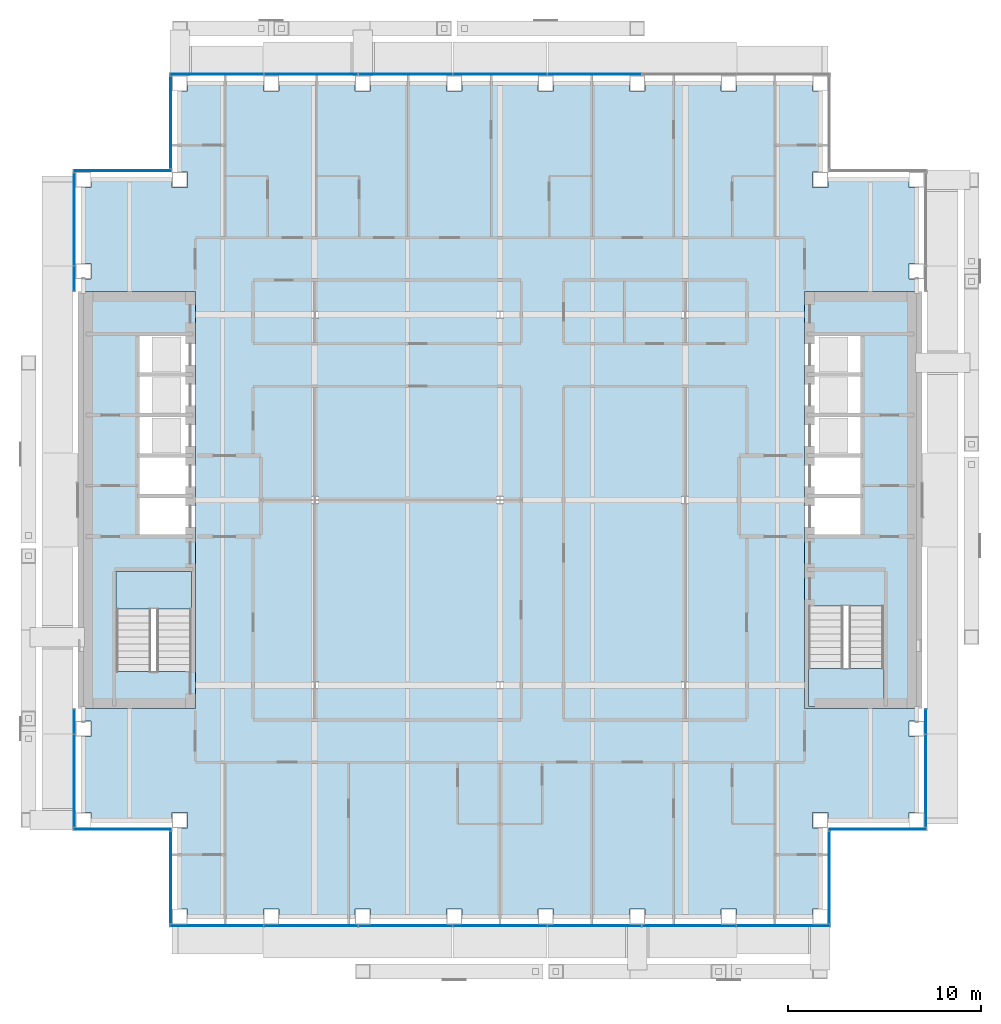
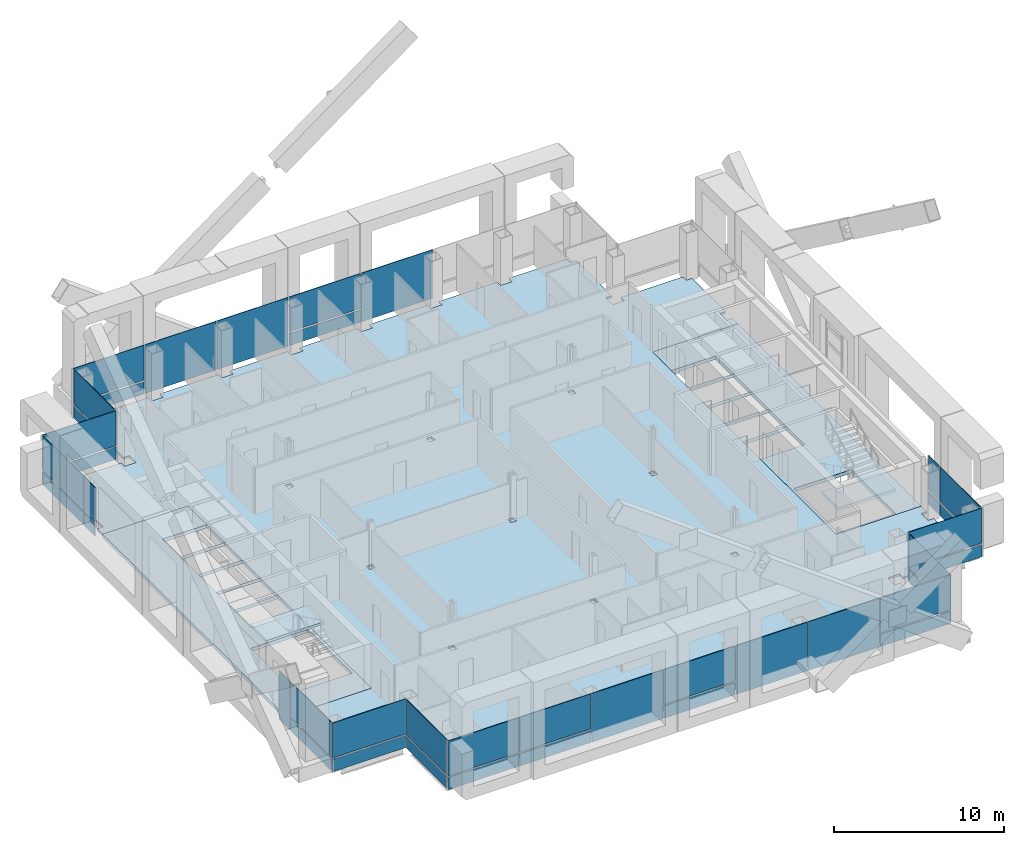
# One storey, part 11 of 22: 41 plates, 5 slabs, 13 elements without a shape of their own.
"""IFC4 building model written with IfcOpenShell, lengths in metres."""

from ifc_helpers import new_model, si_unit, direction, frame, origin, origin_2d, place, context, subcontext, project, spatial, polyline, rectangle, outline, extrude, material, layer, layer_set, type_object, element, aggregate, save


model = new_model("IFC4")

# Units and contexts
model_context = context("Model", 3, precision=1e-05, world=origin(), true_north=direction((0.0, 1.0)))
body_context = subcontext(model_context, "Body", "Model", "MODEL_VIEW")
ifc_project = project(units=[si_unit("LENGTHUNIT", "METRE"), si_unit("AREAUNIT", "SQUARE_METRE"), si_unit("VOLUMEUNIT", "CUBIC_METRE"), si_unit("PLANEANGLEUNIT", "RADIAN"), si_unit("MASSUNIT", "GRAM", prefix="KILO")], contexts=[model_context])

# Site, building, storey
site_placement = place(None, origin())
site = spatial("IfcSite", under=ifc_project, at=site_placement, CompositionType="ELEMENT")
building_placement = place(site_placement, origin())
building = spatial("IfcBuilding", under=site, at=building_placement, Name="Cobrizo Arcos Hotel Tower", CompositionType="ELEMENT")
storey_placement = place(building_placement, frame((0.0, 0.0, 169.0)))
storey = spatial("IfcBuildingStorey", under=building, at=storey_placement, Name="L43", CompositionType="ELEMENT", Elevation=169.0)

# Curtain wall, plates
ifc_material_1 = material(Name="Aluminium 6063-T6 anodised bronze", Category="aluminium")
curtain_wall_type = type_object("IfcCurtainWallType", Name="CW-A guest facade", PredefinedType="NOTDEFINED", material=ifc_material_1)
curtain_wall_1_placement = place(storey_placement, origin())
curtain_wall_1 = element("IfcCurtainWall", 1, at=curtain_wall_1_placement, inside=storey, type_object=curtain_wall_type, Name="CW-A L43 S face", PredefinedType="NOTDEFINED")
ifc_material_2 = material(Name="Glass clear laminated low-e", Category="glass")
ifc_layer_1 = layer(ifc_material_2, 0.0400390625)
ifc_layer_set_1 = layer_set([ifc_layer_1], Name="CW-A glass panel")
plate_type_1 = type_object("IfcPlateType", Name="CW-A glass panel", PredefinedType="CURTAIN_PANEL", material=ifc_layer_set_1)
plate_1_placement = place(storey_placement, frame((-14.68505859375, -22.074951171875, 0.990234375), z_axis=(0.0, 0.0, 1.0), x_axis=(1.0, 0.0, 0.0)))
plate_1 = element("IfcPlate", 2, at=plate_1_placement, type_object=plate_type_1, Name="CW-A glass panel 1516", PredefinedType="CURTAIN_PANEL", context=body_context, shape_type="SweptSolid", body=[
    extrude(rectangle(XDim=4.81005859375, YDim=0.0400390625, at=origin_2d()), origin(), (0.0, 0.0, 1.0), 2.510009765625),
])
plate_2_placement = place(storey_placement, frame((-9.800048828125, -22.074951171875, 0.990234375), z_axis=(0.0, 0.0, 1.0), x_axis=(1.0, 0.0, 0.0)))
plate_2 = element("IfcPlate", 3, at=plate_2_placement, type_object=plate_type_1, Name="CW-A glass panel 1517", PredefinedType="CURTAIN_PANEL", context=body_context, shape_type="SweptSolid", body=[
    extrude(rectangle(XDim=4.840087890625, YDim=0.0400390625, at=origin_2d()), origin(), (0.0, 0.0, 1.0), 2.510009765625),
])
plate_3_placement = place(storey_placement, frame((0.0, -22.074951171875, 0.990234375), z_axis=(0.0, 0.0, 1.0), x_axis=(1.0, 0.0, 0.0)))
plate_3 = element("IfcPlate", 4, at=plate_3_placement, type_object=plate_type_1, Name="CW-A glass panel 1519", PredefinedType="CURTAIN_PANEL", context=body_context, shape_type="SweptSolid", body=[
    extrude(rectangle(XDim=4.840087890625, YDim=0.0400390625, at=origin_2d()), origin(), (0.0, 0.0, 1.0), 2.510009765625),
])
plate_4_placement = place(storey_placement, frame((14.68505859375, -22.074951171875, 0.990234375), z_axis=(0.0, 0.0, 1.0), x_axis=(1.0, 0.0, 0.0)))
plate_4 = element("IfcPlate", 5, at=plate_4_placement, type_object=plate_type_1, Name="CW-A glass panel 1522", PredefinedType="CURTAIN_PANEL", context=body_context, shape_type="SweptSolid", body=[
    extrude(rectangle(XDim=4.81005859375, YDim=0.0400390625, at=origin_2d()), origin(), (0.0, 0.0, 1.0), 2.510009765625),
])

# Curtain wall, plate
curtain_wall_2_placement = place(storey_placement, origin())
curtain_wall_2 = element("IfcCurtainWall", 6, at=curtain_wall_2_placement, inside=storey, type_object=curtain_wall_type, Name="CW-A L43 E face", PredefinedType="NOTDEFINED")
plate_5_placement = place(storey_placement, frame((17.074951171875, -19.574951171875, 0.990234375), z_axis=(0.0, 0.0, 1.0), x_axis=(0.0, 1.0, 0.0)))
plate_5 = element("IfcPlate", 7, at=plate_5_placement, type_object=plate_type_1, Name="CW-A glass panel 1523", PredefinedType="CURTAIN_PANEL", context=body_context, shape_type="SweptSolid", body=[
    extrude(rectangle(XDim=4.72998046875, YDim=0.0400390625, at=origin_2d()), origin(), (0.0, 0.0, 1.0), 2.510009765625),
])

curtain_wall_3_placement = place(storey_placement, origin())
curtain_wall_3 = element("IfcCurtainWall", 8, at=curtain_wall_3_placement, inside=storey, type_object=curtain_wall_type, Name="CW-A L43 S face", PredefinedType="NOTDEFINED")
plate_6_placement = place(storey_placement, frame((19.574951171875, -17.074951171875, 0.990234375), z_axis=(0.0, 0.0, 1.0), x_axis=(1.0, 0.0, 0.0)))
plate_6 = element("IfcPlate", 9, at=plate_6_placement, type_object=plate_type_1, Name="CW-A glass panel 1524", PredefinedType="CURTAIN_PANEL", context=body_context, shape_type="SweptSolid", body=[
    extrude(rectangle(XDim=5.030029296875, YDim=0.0400390625, at=origin_2d()), origin(), (0.0, 0.0, 1.0), 2.510009765625),
])

# Curtain wall, plates
curtain_wall_4_placement = place(storey_placement, origin())
curtain_wall_4 = element("IfcCurtainWall", 10, at=curtain_wall_4_placement, inside=storey, type_object=curtain_wall_type, Name="CW-A L43 E face", PredefinedType="NOTDEFINED")
plate_7_placement = place(storey_placement, frame((22.074951171875, -14.556396484375, 0.990234375), z_axis=(0.0, 0.0, 1.0), x_axis=(0.0, 1.0, 0.0)))
plate_7 = element("IfcPlate", 11, at=plate_7_placement, type_object=plate_type_1, Name="CW-A glass panel 1525", PredefinedType="CURTAIN_PANEL", context=body_context, shape_type="SweptSolid", body=[
    extrude(rectangle(XDim=4.76708984375, YDim=0.0400390625, at=origin_2d()), origin(), (0.0, 0.0, 1.0), 2.510009765625),
])
plate_8_placement = place(storey_placement, frame((22.074951171875, -11.486328125, 0.990234375), z_axis=(0.0, 0.0, 1.0), x_axis=(0.0, 1.0, 0.0)))
plate_8 = element("IfcPlate", 12, at=plate_8_placement, type_object=plate_type_1, Name="CW-A glass panel 1526", PredefinedType="CURTAIN_PANEL", context=body_context, shape_type="SweptSolid", body=[
    extrude(rectangle(XDim=1.2529296875, YDim=0.0400390625, at=origin_2d()), origin(), (0.0, 0.0, 1.0), 2.510009765625),
])

curtain_wall_5_placement = place(storey_placement, origin())
curtain_wall_5 = element("IfcCurtainWall", 13, at=curtain_wall_5_placement, inside=storey, type_object=curtain_wall_type, Name="CW-A L43 N face", PredefinedType="NOTDEFINED")
plate_9_placement = place(storey_placement, frame((0.0, 22.074951171875, 0.990234375), z_axis=(0.0, 0.0, 1.0), x_axis=(-1.0, 0.0, 0.0)))
plate_9 = element("IfcPlate", 14, at=plate_9_placement, type_object=plate_type_1, Name="CW-A glass panel 1534", PredefinedType="CURTAIN_PANEL", context=body_context, shape_type="SweptSolid", body=[
    extrude(rectangle(XDim=4.840087890625, YDim=0.0400390625, at=origin_2d()), origin(), (0.0, 0.0, 1.0), 2.510009765625),
])
plate_10_placement = place(storey_placement, frame((-14.68505859375, 22.074951171875, 0.990234375), z_axis=(0.0, 0.0, 1.0), x_axis=(-1.0, 0.0, 0.0)))
plate_10 = element("IfcPlate", 15, at=plate_10_placement, type_object=plate_type_1, Name="CW-A glass panel 1537", PredefinedType="CURTAIN_PANEL", context=body_context, shape_type="SweptSolid", body=[
    extrude(rectangle(XDim=4.81005859375, YDim=0.0400390625, at=origin_2d()), origin(), (0.0, 0.0, 1.0), 2.510009765625),
])

# Curtain wall, plate
curtain_wall_6_placement = place(storey_placement, origin())
curtain_wall_6 = element("IfcCurtainWall", 16, at=curtain_wall_6_placement, inside=storey, type_object=curtain_wall_type, Name="CW-A L43 W face", PredefinedType="NOTDEFINED")
plate_11_placement = place(storey_placement, frame((-17.074951171875, 19.574951171875, 0.990234375), z_axis=(0.0, 0.0, 1.0), x_axis=(0.0, -1.0, 0.0)))
plate_11 = element("IfcPlate", 17, at=plate_11_placement, type_object=plate_type_1, Name="CW-A glass panel 1538", PredefinedType="CURTAIN_PANEL", context=body_context, shape_type="SweptSolid", body=[
    extrude(rectangle(XDim=4.72998046875, YDim=0.0400390625, at=origin_2d()), origin(), (0.0, 0.0, 1.0), 2.510009765625),
])

curtain_wall_7_placement = place(storey_placement, origin())
curtain_wall_7 = element("IfcCurtainWall", 18, at=curtain_wall_7_placement, inside=storey, type_object=curtain_wall_type, Name="CW-A L43 N face", PredefinedType="NOTDEFINED")
plate_12_placement = place(storey_placement, frame((-19.574951171875, 17.074951171875, 0.990234375), z_axis=(0.0, 0.0, 1.0), x_axis=(-1.0, 0.0, 0.0)))
plate_12 = element("IfcPlate", 19, at=plate_12_placement, type_object=plate_type_1, Name="CW-A glass panel 1539", PredefinedType="CURTAIN_PANEL", context=body_context, shape_type="SweptSolid", body=[
    extrude(rectangle(XDim=5.030029296875, YDim=0.0400390625, at=origin_2d()), origin(), (0.0, 0.0, 1.0), 2.510009765625),
])

# Curtain wall, plates
curtain_wall_8_placement = place(storey_placement, origin())
curtain_wall_8 = element("IfcCurtainWall", 20, at=curtain_wall_8_placement, inside=storey, type_object=curtain_wall_type, Name="CW-A L43 W face", PredefinedType="NOTDEFINED")
plate_13_placement = place(storey_placement, frame((-22.074951171875, 14.556396484375, 0.990234375), z_axis=(0.0, 0.0, 1.0), x_axis=(0.0, -1.0, 0.0)))
plate_13 = element("IfcPlate", 21, at=plate_13_placement, type_object=plate_type_1, Name="CW-A glass panel 1540", PredefinedType="CURTAIN_PANEL", context=body_context, shape_type="SweptSolid", body=[
    extrude(rectangle(XDim=4.76708984375, YDim=0.0400390625, at=origin_2d()), origin(), (0.0, 0.0, 1.0), 2.510009765625),
])
plate_14_placement = place(storey_placement, frame((-22.074951171875, 11.486328125, 0.990234375), z_axis=(0.0, 0.0, 1.0), x_axis=(0.0, -1.0, 0.0)))
plate_14 = element("IfcPlate", 22, at=plate_14_placement, type_object=plate_type_1, Name="CW-A glass panel 1541", PredefinedType="CURTAIN_PANEL", context=body_context, shape_type="SweptSolid", body=[
    extrude(rectangle(XDim=1.2529296875, YDim=0.0400390625, at=origin_2d()), origin(), (0.0, 0.0, 1.0), 2.510009765625),
])

# Curtain wall, plate
curtain_wall_9_placement = place(storey_placement, origin())
curtain_wall_9 = element("IfcCurtainWall", 23, at=curtain_wall_9_placement, inside=storey, type_object=curtain_wall_type, Name="CW-A L43 W face", PredefinedType="NOTDEFINED")
plate_15_placement = place(storey_placement, frame((-22.074951171875, -14.556396484375, 0.990234375), z_axis=(0.0, 0.0, 1.0), x_axis=(0.0, -1.0, 0.0)))
plate_15 = element("IfcPlate", 24, at=plate_15_placement, type_object=plate_type_1, Name="CW-A glass panel 1543", PredefinedType="CURTAIN_PANEL", context=body_context, shape_type="SweptSolid", body=[
    extrude(rectangle(XDim=4.76708984375, YDim=0.0400390625, at=origin_2d()), origin(), (0.0, 0.0, 1.0), 2.510009765625),
])

curtain_wall_10_placement = place(storey_placement, origin())
curtain_wall_10 = element("IfcCurtainWall", 25, at=curtain_wall_10_placement, inside=storey, type_object=curtain_wall_type, Name="CW-A L43 S face", PredefinedType="NOTDEFINED")
plate_16_placement = place(storey_placement, frame((-19.574951171875, -17.074951171875, 0.990234375), z_axis=(0.0, 0.0, 1.0), x_axis=(1.0, 0.0, 0.0)))
plate_16 = element("IfcPlate", 26, at=plate_16_placement, type_object=plate_type_1, Name="CW-A glass panel 1544", PredefinedType="CURTAIN_PANEL", context=body_context, shape_type="SweptSolid", body=[
    extrude(rectangle(XDim=5.030029296875, YDim=0.0400390625, at=origin_2d()), origin(), (0.0, 0.0, 1.0), 2.510009765625),
])

curtain_wall_11_placement = place(storey_placement, origin())
curtain_wall_11 = element("IfcCurtainWall", 27, at=curtain_wall_11_placement, inside=storey, type_object=curtain_wall_type, Name="CW-A L43 W face", PredefinedType="NOTDEFINED")
plate_17_placement = place(storey_placement, frame((-17.074951171875, -19.574951171875, 0.990234375), z_axis=(0.0, 0.0, 1.0), x_axis=(0.0, -1.0, 0.0)))
plate_17 = element("IfcPlate", 28, at=plate_17_placement, type_object=plate_type_1, Name="CW-A glass panel 1545", PredefinedType="CURTAIN_PANEL", context=body_context, shape_type="SweptSolid", body=[
    extrude(rectangle(XDim=4.72998046875, YDim=0.0400390625, at=origin_2d()), origin(), (0.0, 0.0, 1.0), 2.510009765625),
])

# Plate
ifc_material_3 = material(Name="Aluminium composite panel pale metal", Category="aluminium")
ifc_layer_2 = layer(ifc_material_3, 0.0400390625)
ifc_layer_set_2 = layer_set([ifc_layer_2], Name="CW-A spandrel panel")
plate_type_2 = type_object("IfcPlateType", Name="CW-A spandrel panel", PredefinedType="CURTAIN_PANEL", material=ifc_layer_set_2)
plate_18_placement = place(storey_placement, frame((-14.68505859375, -22.074951171875, 0.0), z_axis=(0.0, 0.0, 1.0), x_axis=(1.0, 0.0, 0.0)))
plate_18 = element("IfcPlate", 29, at=plate_18_placement, type_object=plate_type_2, Name="CW-A spandrel panel 1516", PredefinedType="CURTAIN_PANEL", context=body_context, shape_type="SweptSolid", body=[
    extrude(rectangle(XDim=4.81005859375, YDim=0.0400390625, at=origin_2d()), origin(), (0.0, 0.0, 1.0), 0.8701171875),
])

plate_19_placement = place(storey_placement, frame((-9.800048828125, -22.074951171875, 0.0), z_axis=(0.0, 0.0, 1.0), x_axis=(1.0, 0.0, 0.0)))
plate_19 = element("IfcPlate", 30, at=plate_19_placement, type_object=plate_type_2, Name="CW-A spandrel panel 1517", PredefinedType="CURTAIN_PANEL", context=body_context, shape_type="SweptSolid", body=[
    extrude(rectangle(XDim=4.840087890625, YDim=0.0400390625, at=origin_2d()), origin(), (0.0, 0.0, 1.0), 0.8701171875),
])

plate_20_placement = place(storey_placement, frame((-4.89990234375, -22.074951171875, 0.0), z_axis=(0.0, 0.0, 1.0), x_axis=(1.0, 0.0, 0.0)))
plate_20 = element("IfcPlate", 31, at=plate_20_placement, type_object=plate_type_2, Name="CW-A spandrel panel 1518", PredefinedType="CURTAIN_PANEL", context=body_context, shape_type="SweptSolid", body=[
    extrude(rectangle(XDim=4.840087890625, YDim=0.0400390625, at=origin_2d()), origin(), (0.0, 0.0, 1.0), 3.5),
])

plate_21_placement = place(storey_placement, frame((0.0, -22.074951171875, 0.0), z_axis=(0.0, 0.0, 1.0), x_axis=(1.0, 0.0, 0.0)))
plate_21 = element("IfcPlate", 32, at=plate_21_placement, type_object=plate_type_2, Name="CW-A spandrel panel 1519", PredefinedType="CURTAIN_PANEL", context=body_context, shape_type="SweptSolid", body=[
    extrude(rectangle(XDim=4.840087890625, YDim=0.0400390625, at=origin_2d()), origin(), (0.0, 0.0, 1.0), 0.8701171875),
])

plate_22_placement = place(storey_placement, frame((4.89990234375, -22.074951171875, 0.0), z_axis=(0.0, 0.0, 1.0), x_axis=(1.0, 0.0, 0.0)))
plate_22 = element("IfcPlate", 33, at=plate_22_placement, type_object=plate_type_2, Name="CW-A spandrel panel 1520", PredefinedType="CURTAIN_PANEL", context=body_context, shape_type="SweptSolid", body=[
    extrude(rectangle(XDim=4.840087890625, YDim=0.0400390625, at=origin_2d()), origin(), (0.0, 0.0, 1.0), 3.5),
])

plate_23_placement = place(storey_placement, frame((9.800048828125, -22.074951171875, 0.0), z_axis=(0.0, 0.0, 1.0), x_axis=(1.0, 0.0, 0.0)))
plate_23 = element("IfcPlate", 34, at=plate_23_placement, type_object=plate_type_2, Name="CW-A spandrel panel 1521", PredefinedType="CURTAIN_PANEL", context=body_context, shape_type="SweptSolid", body=[
    extrude(rectangle(XDim=4.840087890625, YDim=0.0400390625, at=origin_2d()), origin(), (0.0, 0.0, 1.0), 3.5),
])

plate_24_placement = place(storey_placement, frame((14.68505859375, -22.074951171875, 0.0), z_axis=(0.0, 0.0, 1.0), x_axis=(1.0, 0.0, 0.0)))
plate_24 = element("IfcPlate", 35, at=plate_24_placement, type_object=plate_type_2, Name="CW-A spandrel panel 1522", PredefinedType="CURTAIN_PANEL", context=body_context, shape_type="SweptSolid", body=[
    extrude(rectangle(XDim=4.81005859375, YDim=0.0400390625, at=origin_2d()), origin(), (0.0, 0.0, 1.0), 0.8701171875),
])

aggregate(curtain_wall_1, [plate_18, plate_1, plate_19, plate_2, plate_20, plate_21, plate_3, plate_22, plate_23, plate_24, plate_4])

plate_25_placement = place(storey_placement, frame((17.074951171875, -19.574951171875, 0.0), z_axis=(0.0, 0.0, 1.0), x_axis=(0.0, 1.0, 0.0)))
plate_25 = element("IfcPlate", 36, at=plate_25_placement, type_object=plate_type_2, Name="CW-A spandrel panel 1523", PredefinedType="CURTAIN_PANEL", context=body_context, shape_type="SweptSolid", body=[
    extrude(rectangle(XDim=4.72998046875, YDim=0.0400390625, at=origin_2d()), origin(), (0.0, 0.0, 1.0), 0.8701171875),
])

aggregate(curtain_wall_2, [plate_25, plate_5])

plate_26_placement = place(storey_placement, frame((19.574951171875, -17.074951171875, 0.0), z_axis=(0.0, 0.0, 1.0), x_axis=(1.0, 0.0, 0.0)))
plate_26 = element("IfcPlate", 37, at=plate_26_placement, type_object=plate_type_2, Name="CW-A spandrel panel 1524", PredefinedType="CURTAIN_PANEL", context=body_context, shape_type="SweptSolid", body=[
    extrude(rectangle(XDim=5.030029296875, YDim=0.0400390625, at=origin_2d()), origin(), (0.0, 0.0, 1.0), 0.8701171875),
])

aggregate(curtain_wall_3, [plate_26, plate_6])

plate_27_placement = place(storey_placement, frame((22.074951171875, -14.556396484375, 0.0), z_axis=(0.0, 0.0, 1.0), x_axis=(0.0, 1.0, 0.0)))
plate_27 = element("IfcPlate", 38, at=plate_27_placement, type_object=plate_type_2, Name="CW-A spandrel panel 1525", PredefinedType="CURTAIN_PANEL", context=body_context, shape_type="SweptSolid", body=[
    extrude(rectangle(XDim=4.76708984375, YDim=0.0400390625, at=origin_2d()), origin(), (0.0, 0.0, 1.0), 0.8701171875),
])

plate_28_placement = place(storey_placement, frame((22.074951171875, -11.486328125, 0.0), z_axis=(0.0, 0.0, 1.0), x_axis=(0.0, 1.0, 0.0)))
plate_28 = element("IfcPlate", 39, at=plate_28_placement, type_object=plate_type_2, Name="CW-A spandrel panel 1526", PredefinedType="CURTAIN_PANEL", context=body_context, shape_type="SweptSolid", body=[
    extrude(rectangle(XDim=1.2529296875, YDim=0.0400390625, at=origin_2d()), origin(), (0.0, 0.0, 1.0), 0.8701171875),
])

aggregate(curtain_wall_4, [plate_27, plate_7, plate_28, plate_8])

plate_29_placement = place(storey_placement, frame((4.89990234375, 22.074951171875, 0.0), z_axis=(0.0, 0.0, 1.0), x_axis=(-1.0, 0.0, 0.0)))
plate_29 = element("IfcPlate", 40, at=plate_29_placement, type_object=plate_type_2, Name="CW-A spandrel panel 1533", PredefinedType="CURTAIN_PANEL", context=body_context, shape_type="SweptSolid", body=[
    extrude(rectangle(XDim=4.840087890625, YDim=0.0400390625, at=origin_2d()), origin(), (0.0, 0.0, 1.0), 3.5),
])

plate_30_placement = place(storey_placement, frame((0.0, 22.074951171875, 0.0), z_axis=(0.0, 0.0, 1.0), x_axis=(-1.0, 0.0, 0.0)))
plate_30 = element("IfcPlate", 41, at=plate_30_placement, type_object=plate_type_2, Name="CW-A spandrel panel 1534", PredefinedType="CURTAIN_PANEL", context=body_context, shape_type="SweptSolid", body=[
    extrude(rectangle(XDim=4.840087890625, YDim=0.0400390625, at=origin_2d()), origin(), (0.0, 0.0, 1.0), 0.8701171875),
])

plate_31_placement = place(storey_placement, frame((-4.89990234375, 22.074951171875, 0.0), z_axis=(0.0, 0.0, 1.0), x_axis=(-1.0, 0.0, 0.0)))
plate_31 = element("IfcPlate", 42, at=plate_31_placement, type_object=plate_type_2, Name="CW-A spandrel panel 1535", PredefinedType="CURTAIN_PANEL", context=body_context, shape_type="SweptSolid", body=[
    extrude(rectangle(XDim=4.840087890625, YDim=0.0400390625, at=origin_2d()), origin(), (0.0, 0.0, 1.0), 3.5),
])

plate_32_placement = place(storey_placement, frame((-9.800048828125, 22.074951171875, 0.0), z_axis=(0.0, 0.0, 1.0), x_axis=(-1.0, 0.0, 0.0)))
plate_32 = element("IfcPlate", 43, at=plate_32_placement, type_object=plate_type_2, Name="CW-A spandrel panel 1536", PredefinedType="CURTAIN_PANEL", context=body_context, shape_type="SweptSolid", body=[
    extrude(rectangle(XDim=4.840087890625, YDim=0.0400390625, at=origin_2d()), origin(), (0.0, 0.0, 1.0), 3.5),
])

plate_33_placement = place(storey_placement, frame((-14.68505859375, 22.074951171875, 0.0), z_axis=(0.0, 0.0, 1.0), x_axis=(-1.0, 0.0, 0.0)))
plate_33 = element("IfcPlate", 44, at=plate_33_placement, type_object=plate_type_2, Name="CW-A spandrel panel 1537", PredefinedType="CURTAIN_PANEL", context=body_context, shape_type="SweptSolid", body=[
    extrude(rectangle(XDim=4.81005859375, YDim=0.0400390625, at=origin_2d()), origin(), (0.0, 0.0, 1.0), 0.8701171875),
])

aggregate(curtain_wall_5, [plate_29, plate_30, plate_9, plate_31, plate_32, plate_33, plate_10])

plate_34_placement = place(storey_placement, frame((-17.074951171875, 19.574951171875, 0.0), z_axis=(0.0, 0.0, 1.0), x_axis=(0.0, -1.0, 0.0)))
plate_34 = element("IfcPlate", 45, at=plate_34_placement, type_object=plate_type_2, Name="CW-A spandrel panel 1538", PredefinedType="CURTAIN_PANEL", context=body_context, shape_type="SweptSolid", body=[
    extrude(rectangle(XDim=4.72998046875, YDim=0.0400390625, at=origin_2d()), origin(), (0.0, 0.0, 1.0), 0.8701171875),
])

aggregate(curtain_wall_6, [plate_34, plate_11])

plate_35_placement = place(storey_placement, frame((-19.574951171875, 17.074951171875, 0.0), z_axis=(0.0, 0.0, 1.0), x_axis=(-1.0, 0.0, 0.0)))
plate_35 = element("IfcPlate", 46, at=plate_35_placement, type_object=plate_type_2, Name="CW-A spandrel panel 1539", PredefinedType="CURTAIN_PANEL", context=body_context, shape_type="SweptSolid", body=[
    extrude(rectangle(XDim=5.030029296875, YDim=0.0400390625, at=origin_2d()), origin(), (0.0, 0.0, 1.0), 0.8701171875),
])

aggregate(curtain_wall_7, [plate_35, plate_12])

plate_36_placement = place(storey_placement, frame((-22.074951171875, 14.556396484375, 0.0), z_axis=(0.0, 0.0, 1.0), x_axis=(0.0, -1.0, 0.0)))
plate_36 = element("IfcPlate", 47, at=plate_36_placement, type_object=plate_type_2, Name="CW-A spandrel panel 1540", PredefinedType="CURTAIN_PANEL", context=body_context, shape_type="SweptSolid", body=[
    extrude(rectangle(XDim=4.76708984375, YDim=0.0400390625, at=origin_2d()), origin(), (0.0, 0.0, 1.0), 0.8701171875),
])

plate_37_placement = place(storey_placement, frame((-22.074951171875, 11.486328125, 0.0), z_axis=(0.0, 0.0, 1.0), x_axis=(0.0, -1.0, 0.0)))
plate_37 = element("IfcPlate", 48, at=plate_37_placement, type_object=plate_type_2, Name="CW-A spandrel panel 1541", PredefinedType="CURTAIN_PANEL", context=body_context, shape_type="SweptSolid", body=[
    extrude(rectangle(XDim=1.2529296875, YDim=0.0400390625, at=origin_2d()), origin(), (0.0, 0.0, 1.0), 0.8701171875),
])

aggregate(curtain_wall_8, [plate_36, plate_13, plate_37, plate_14])

plate_38_placement = place(storey_placement, frame((-22.074951171875, -11.486328125, 0.0), z_axis=(0.0, 0.0, 1.0), x_axis=(0.0, -1.0, 0.0)))
plate_38 = element("IfcPlate", 49, at=plate_38_placement, type_object=plate_type_2, Name="CW-A spandrel panel 1542", PredefinedType="CURTAIN_PANEL", context=body_context, shape_type="SweptSolid", body=[
    extrude(rectangle(XDim=1.2529296875, YDim=0.0400390625, at=origin_2d()), origin(), (0.0, 0.0, 1.0), 3.5),
])

plate_39_placement = place(storey_placement, frame((-22.074951171875, -14.556396484375, 0.0), z_axis=(0.0, 0.0, 1.0), x_axis=(0.0, -1.0, 0.0)))
plate_39 = element("IfcPlate", 50, at=plate_39_placement, type_object=plate_type_2, Name="CW-A spandrel panel 1543", PredefinedType="CURTAIN_PANEL", context=body_context, shape_type="SweptSolid", body=[
    extrude(rectangle(XDim=4.76708984375, YDim=0.0400390625, at=origin_2d()), origin(), (0.0, 0.0, 1.0), 0.8701171875),
])

aggregate(curtain_wall_9, [plate_38, plate_39, plate_15])

plate_40_placement = place(storey_placement, frame((-19.574951171875, -17.074951171875, 0.0), z_axis=(0.0, 0.0, 1.0), x_axis=(1.0, 0.0, 0.0)))
plate_40 = element("IfcPlate", 51, at=plate_40_placement, type_object=plate_type_2, Name="CW-A spandrel panel 1544", PredefinedType="CURTAIN_PANEL", context=body_context, shape_type="SweptSolid", body=[
    extrude(rectangle(XDim=5.030029296875, YDim=0.0400390625, at=origin_2d()), origin(), (0.0, 0.0, 1.0), 0.8701171875),
])

aggregate(curtain_wall_10, [plate_40, plate_16])

plate_41_placement = place(storey_placement, frame((-17.074951171875, -19.574951171875, 0.0), z_axis=(0.0, 0.0, 1.0), x_axis=(0.0, -1.0, 0.0)))
plate_41 = element("IfcPlate", 52, at=plate_41_placement, type_object=plate_type_2, Name="CW-A spandrel panel 1545", PredefinedType="CURTAIN_PANEL", context=body_context, shape_type="SweptSolid", body=[
    extrude(rectangle(XDim=4.72998046875, YDim=0.0400390625, at=origin_2d()), origin(), (0.0, 0.0, 1.0), 0.8701171875),
])

aggregate(curtain_wall_11, [plate_41, plate_17])

# Slabs
ifc_material_4 = material(Name="Concrete f'c 35 MPa", Category="concrete")
ifc_layer_3 = layer(ifc_material_4, 0.14990234375)
ifc_layer_set_3 = layer_set([ifc_layer_3], Name="Composite floor slab 150 f'c 35")
slab_type_1 = type_object("IfcSlabType", Name="Composite floor slab 150 f'c 35", PredefinedType="FLOOR", material=ifc_layer_set_3)
slab_1_placement = place(storey_placement, frame((0.0, 0.0, -0.14990234375)))
element("IfcSlab", 53, at=slab_1_placement, inside=storey, type_object=slab_type_1, Name="Floor slab S5, L43, no. 01", PredefinedType="FLOOR", context=body_context, shape_type="SweptSolid", body=[
    extrude(outline(polyline([(-16.199951171875, -21.60009765625), (-16.199951171875, -21.199951171875), (-16.60009765625, -21.199951171875), (-16.60009765625, -17.0), (-16.199951171875, -17.0), (-16.199951171875, -16.199951171875), (-17.0, -16.199951171875), (-17.0, -16.60009765625), (-21.199951171875, -16.60009765625), (-21.199951171875, -16.199951171875), (-21.60009765625, -16.199951171875), (-21.60009765625, -12.257080078125), (-21.199951171875, -12.257080078125), (-21.199951171875, -11.45703125), (-21.60009765625, -11.45703125), (-21.60009765625, -10.800048828125), (-15.800048828125, -10.800048828125), (-15.800048828125, 10.800048828125), (-21.60009765625, 10.800048828125), (-21.60009765625, 11.45703125), (-21.199951171875, 11.45703125), (-21.199951171875, 12.257080078125), (-21.60009765625, 12.257080078125), (-21.60009765625, 16.199951171875), (-21.199951171875, 16.199951171875), (-21.199951171875, 16.60009765625), (-17.0, 16.60009765625), (-17.0, 16.199951171875), (-16.199951171875, 16.199951171875), (-16.199951171875, 17.0), (-16.60009765625, 17.0), (-16.60009765625, 21.199951171875), (-16.199951171875, 21.199951171875), (-16.199951171875, 21.60009765625), (-12.257080078125, 21.60009765625), (-12.257080078125, 21.199951171875), (-11.45703125, 21.199951171875), (-11.45703125, 21.60009765625), (-7.513916015625, 21.60009765625), (-7.513916015625, 21.199951171875), (-6.714111328125, 21.199951171875), (-6.714111328125, 21.60009765625), (-2.77099609375, 21.60009765625), (-2.77099609375, 21.199951171875), (-1.970947265625, 21.199951171875), (-1.970947265625, 21.60009765625), (1.970947265625, 21.60009765625), (1.970947265625, 21.199951171875), (2.77099609375, 21.199951171875), (2.77099609375, 21.60009765625), (6.714111328125, 21.60009765625), (6.714111328125, 21.199951171875), (7.513916015625, 21.199951171875), (7.513916015625, 21.60009765625), (11.45703125, 21.60009765625), (11.45703125, 21.199951171875), (12.257080078125, 21.199951171875), (12.257080078125, 21.60009765625), (16.199951171875, 21.60009765625), (16.199951171875, 21.199951171875), (16.60009765625, 21.199951171875), (16.60009765625, 17.0), (16.199951171875, 17.0), (16.199951171875, 16.199951171875), (17.0, 16.199951171875), (17.0, 16.60009765625), (21.199951171875, 16.60009765625), (21.199951171875, 16.199951171875), (21.60009765625, 16.199951171875), (21.60009765625, 12.257080078125), (21.199951171875, 12.257080078125), (21.199951171875, 11.45703125), (21.60009765625, 11.45703125), (21.60009765625, 10.800048828125), (15.800048828125, 10.800048828125), (15.800048828125, -10.800048828125), (21.60009765625, -10.800048828125), (21.60009765625, -11.45703125), (21.199951171875, -11.45703125), (21.199951171875, -12.257080078125), (21.60009765625, -12.257080078125), (21.60009765625, -16.199951171875), (21.199951171875, -16.199951171875), (21.199951171875, -16.60009765625), (17.0, -16.60009765625), (17.0, -16.199951171875), (16.199951171875, -16.199951171875), (16.199951171875, -17.0), (16.60009765625, -17.0), (16.60009765625, -21.199951171875), (16.199951171875, -21.199951171875), (16.199951171875, -21.60009765625), (12.257080078125, -21.60009765625), (12.257080078125, -21.199951171875), (11.45703125, -21.199951171875), (11.45703125, -21.60009765625), (7.513916015625, -21.60009765625), (7.513916015625, -21.199951171875), (6.714111328125, -21.199951171875), (6.714111328125, -21.60009765625), (2.77099609375, -21.60009765625), (2.77099609375, -21.199951171875), (1.970947265625, -21.199951171875), (1.970947265625, -21.60009765625), (-1.970947265625, -21.60009765625), (-1.970947265625, -21.199951171875), (-2.77099609375, -21.199951171875), (-2.77099609375, -21.60009765625), (-6.714111328125, -21.60009765625), (-6.714111328125, -21.199951171875), (-7.513916015625, -21.199951171875), (-7.513916015625, -21.60009765625), (-11.45703125, -21.60009765625), (-11.45703125, -21.199951171875), (-12.257080078125, -21.199951171875), (-12.257080078125, -21.60009765625), (-16.199951171875, -21.60009765625)]), holes=[polyline([(-0.186767578125, -9.78662109375), (0.186767578125, -9.78662109375), (0.186767578125, -9.413330078125), (-0.186767578125, -9.413330078125), (-0.186767578125, -9.78662109375)]), polyline([(-9.78662109375, -9.78662109375), (-9.413330078125, -9.78662109375), (-9.413330078125, -9.413330078125), (-9.78662109375, -9.413330078125), (-9.78662109375, -9.78662109375)]), polyline([(-9.413330078125, -0.186767578125), (-9.413330078125, 0.186767578125), (-9.78662109375, 0.186767578125), (-9.78662109375, -0.186767578125), (-9.413330078125, -0.186767578125)]), polyline([(0.186767578125, -0.186767578125), (0.186767578125, 0.186767578125), (-0.186767578125, 0.186767578125), (-0.186767578125, -0.186767578125), (0.186767578125, -0.186767578125)]), polyline([(-9.78662109375, 9.413330078125), (-9.413330078125, 9.413330078125), (-9.413330078125, 9.78662109375), (-9.78662109375, 9.78662109375), (-9.78662109375, 9.413330078125)]), polyline([(9.413330078125, -9.78662109375), (9.78662109375, -9.78662109375), (9.78662109375, -9.413330078125), (9.413330078125, -9.413330078125), (9.413330078125, -9.78662109375)]), polyline([(9.413330078125, -0.186767578125), (9.78662109375, -0.186767578125), (9.78662109375, 0.186767578125), (9.413330078125, 0.186767578125), (9.413330078125, -0.186767578125)]), polyline([(9.78662109375, 9.413330078125), (9.78662109375, 9.78662109375), (9.413330078125, 9.78662109375), (9.413330078125, 9.413330078125), (9.78662109375, 9.413330078125)]), polyline([(0.186767578125, 9.413330078125), (0.186767578125, 9.78662109375), (-0.186767578125, 9.78662109375), (-0.186767578125, 9.413330078125), (0.186767578125, 9.413330078125)])]), origin(), (0.0, 0.0, 1.0), 0.14990234375),
])
ifc_material_5 = material(Name="Concrete f'c 50 MPa", Category="concrete")
ifc_layer_4 = layer(ifc_material_5, 0.25)
ifc_layer_set_4 = layer_set([ifc_layer_4], Name="RC core floor slab 250 f'c 50")
slab_type_2 = type_object("IfcSlabType", Name="RC core floor slab 250 f'c 50", PredefinedType="FLOOR", material=ifc_layer_set_4)
slab_2_placement = place(storey_placement, frame((0.0, 0.0, -0.25)))
element("IfcSlab", 54, at=slab_2_placement, inside=storey, type_object=slab_type_2, Name="Core floor slab CS5, east core, L43", PredefinedType="FLOOR", context=body_context, shape_type="SweptSolid", body=[
    extrude(outline(polyline([(15.800048828125, 10.800048828125), (21.60009765625, 10.800048828125), (21.60009765625, -10.800048828125), (15.800048828125, -10.800048828125), (15.800048828125, 10.800048828125)]), holes=[polyline([(19.89794921875, -10.697998046875), (19.89794921875, -5.501953125), (16.001953125, -5.501953125), (16.001953125, -10.697998046875), (19.89794921875, -10.697998046875)]), polyline([(15.802001953125, 0.197998046875), (15.802001953125, -1.89794921875), (18.798095703125, -1.89794921875), (18.798095703125, 0.197998046875), (15.802001953125, 0.197998046875)]), polyline([(15.802001953125, 2.298095703125), (15.802001953125, 0.201904296875), (18.798095703125, 0.201904296875), (18.798095703125, 2.298095703125), (15.802001953125, 2.298095703125)]), polyline([(15.802001953125, 4.39794921875), (15.802001953125, 2.302001953125), (18.798095703125, 2.302001953125), (18.798095703125, 4.39794921875), (15.802001953125, 4.39794921875)]), polyline([(18.798095703125, 6.498046875), (15.802001953125, 6.498046875), (15.802001953125, 4.402099609375), (18.798095703125, 4.402099609375), (18.798095703125, 6.498046875)]), polyline([(18.798095703125, 8.597900390625), (15.802001953125, 8.597900390625), (15.802001953125, 6.501953125), (18.798095703125, 6.501953125), (18.798095703125, 8.597900390625)])]), origin(), (0.0, 0.0, 1.0), 0.25),
])
slab_3_placement = place(storey_placement, frame((0.0, 0.0, -0.25)))
element("IfcSlab", 55, at=slab_3_placement, inside=storey, type_object=slab_type_2, Name="Core floor slab CS5, west core, L43", PredefinedType="FLOOR", context=body_context, shape_type="SweptSolid", body=[
    extrude(outline(polyline([(-21.60009765625, 10.800048828125), (-15.800048828125, 10.800048828125), (-15.800048828125, -10.800048828125), (-21.60009765625, -10.800048828125), (-21.60009765625, 10.800048828125)]), holes=[polyline([(-19.89794921875, -3.701904296875), (-19.89794921875, -8.89794921875), (-16.001953125, -8.89794921875), (-16.001953125, -3.701904296875), (-19.89794921875, -3.701904296875)]), polyline([(-18.798095703125, 0.197998046875), (-18.798095703125, -1.89794921875), (-15.802001953125, -1.89794921875), (-15.802001953125, 0.197998046875), (-18.798095703125, 0.197998046875)]), polyline([(-18.798095703125, 2.298095703125), (-18.798095703125, 0.201904296875), (-15.802001953125, 0.201904296875), (-15.802001953125, 2.298095703125), (-18.798095703125, 2.298095703125)]), polyline([(-18.798095703125, 4.39794921875), (-18.798095703125, 2.302001953125), (-15.802001953125, 2.302001953125), (-15.802001953125, 4.39794921875), (-18.798095703125, 4.39794921875)]), polyline([(-15.802001953125, 6.498046875), (-18.798095703125, 6.498046875), (-18.798095703125, 4.402099609375), (-15.802001953125, 4.402099609375), (-15.802001953125, 6.498046875)]), polyline([(-15.802001953125, 8.597900390625), (-18.798095703125, 8.597900390625), (-18.798095703125, 6.501953125), (-15.802001953125, 6.501953125), (-15.802001953125, 8.597900390625)])]), origin(), (0.0, 0.0, 1.0), 0.25),
])

# Stair, slab
ifc_material_6 = material(Name="Concrete f'c 40 MPa", Category="concrete")
stair_type = type_object("IfcStairType", Name="Exit stair", PredefinedType="HALF_TURN_STAIR", material=ifc_material_6)
stair_1_placement = place(storey_placement, origin())
stair_1 = element("IfcStair", 56, at=stair_1_placement, inside=storey, type_object=stair_type, Name="L43 Exit stair ST-W", PredefinedType="HALF_TURN_STAIR")
ifc_layer_5 = layer(ifc_material_6, 0.199951171875)
ifc_layer_set_5 = layer_set([ifc_layer_5], Name="Stair landing")
slab_type_3 = type_object("IfcSlabType", Name="Stair landing", PredefinedType="LANDING", material=ifc_layer_set_5)
slab_4_placement = place(storey_placement, frame((0.0, 0.0, 1.550048828125)))
slab_4 = element("IfcSlab", 57, at=slab_4_placement, type_object=slab_type_3, Name="ST-W landing 1", PredefinedType="LANDING", context=body_context, shape_type="SweptSolid", body=[
    extrude(outline(polyline([(-16.0, -5.659912109375), (-16.0, -3.699951171875), (-19.89990234375, -3.699951171875), (-19.89990234375, -5.659912109375), (-16.0, -5.659912109375)])), origin(), (0.0, 0.0, 1.0), 0.199951171875),
])
aggregate(stair_1, [slab_4])

stair_2_placement = place(storey_placement, origin())
stair_2 = element("IfcStair", 58, at=stair_2_placement, inside=storey, type_object=stair_type, Name="L43 Exit stair ST-E", PredefinedType="HALF_TURN_STAIR")
slab_5_placement = place(storey_placement, frame((0.0, 0.0, 1.550048828125)))
slab_5 = element("IfcSlab", 59, at=slab_5_placement, type_object=slab_type_3, Name="ST-E landing 1", PredefinedType="LANDING", context=body_context, shape_type="SweptSolid", body=[
    extrude(outline(polyline([(16.0, -8.739990234375), (16.0, -10.699951171875), (19.89990234375, -10.699951171875), (19.89990234375, -8.739990234375), (16.0, -8.739990234375)])), origin(), (0.0, 0.0, 1.0), 0.199951171875),
])
aggregate(stair_2, [slab_5])

save(model, "model.ifc")
